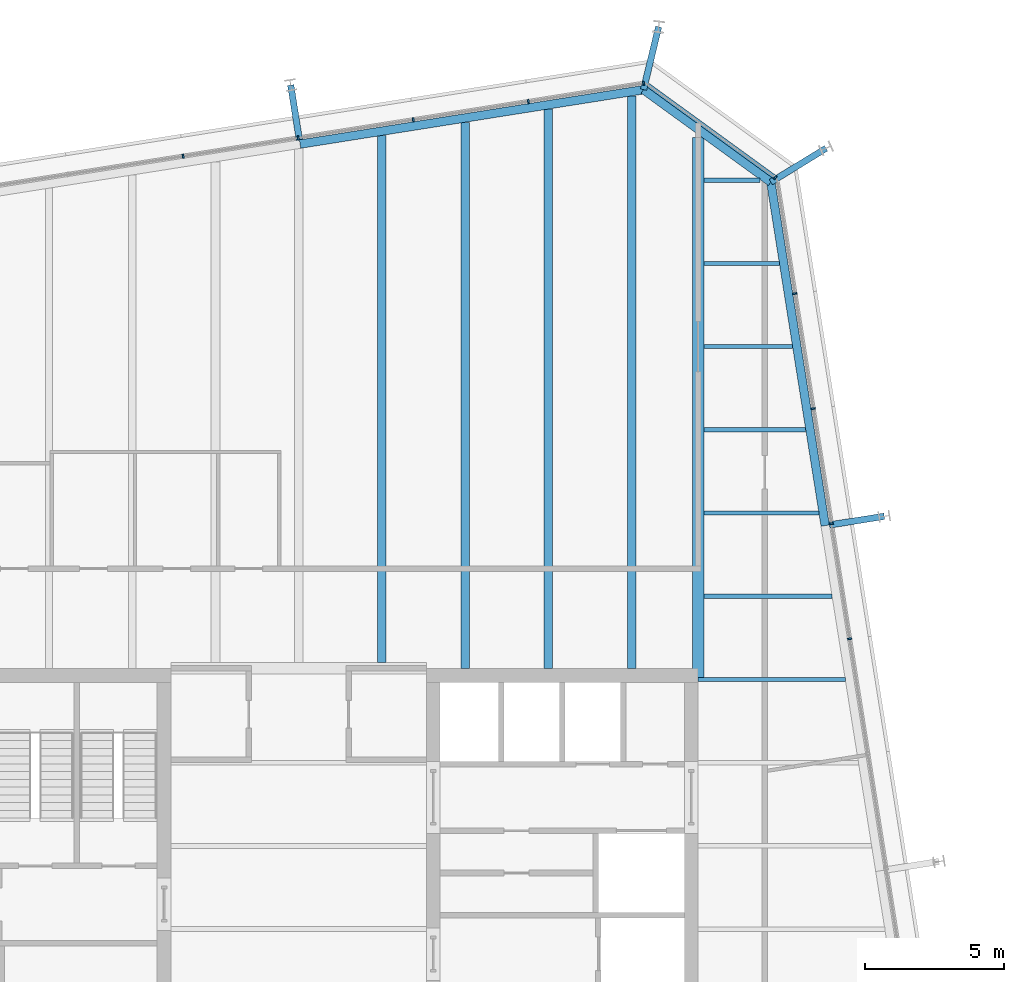
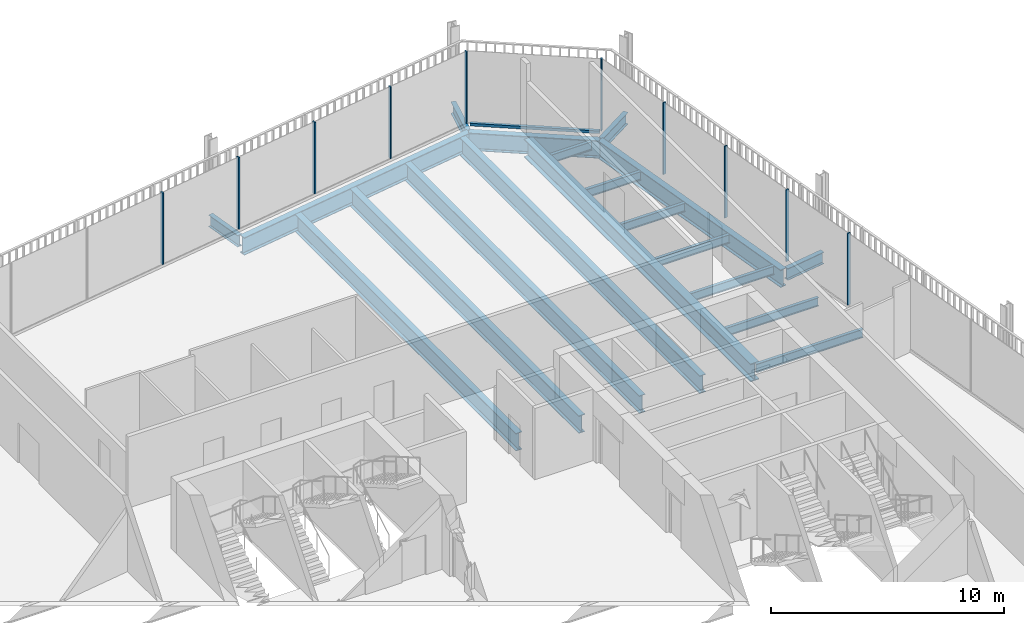
# One storey, part 14 of 20: 19 beams, 11 members, 3 elements without a shape of their own.
"""IFC4 building model written with IfcOpenShell, lengths in metres."""

from ifc_helpers import new_model, si_unit, direction, frame, origin, origin_2d, place, context, subcontext, project, spatial, rectangle, i_section, extrude, material, layer, layer_set, material_profile, profile_set, type_object, element, aggregate, save


model = new_model("IFC4")

# Units and contexts
model_context = context("Model", 3, precision=1e-05, world=origin(), true_north=direction((0.0, 1.0)))
body_context = subcontext(model_context, "Body", "Model", "MODEL_VIEW")
ifc_project = project(units=[si_unit("LENGTHUNIT", "METRE"), si_unit("AREAUNIT", "SQUARE_METRE"), si_unit("VOLUMEUNIT", "CUBIC_METRE"), si_unit("PLANEANGLEUNIT", "RADIAN"), si_unit("MASSUNIT", "GRAM", prefix="KILO")], contexts=[model_context])

# Site, building, storey
site_placement = place(None, origin())
site = spatial("IfcSite", under=ifc_project, at=site_placement, CompositionType="ELEMENT")
building_placement = place(site_placement, origin())
building = spatial("IfcBuilding", under=site, at=building_placement, Name="Millrace Tower", CompositionType="ELEMENT")
storey_placement = place(building_placement, frame((0.0, 0.0, 259.10009765625)))
storey = spatial("IfcBuildingStorey", under=building, at=storey_placement, Name="L59", CompositionType="ELEMENT", Elevation=259.10009765625)

# Curtain wall, members
ifc_material_1 = material(Name="Aluminium and glass", Category="aluminium")
ifc_layer = layer(ifc_material_1, 0.14990234375)
ifc_layer_set = layer_set([ifc_layer], Name="Aluminium and glass")
curtain_wall_type = type_object("IfcCurtainWallType", Name="CW-1 office vision curtain wall", PredefinedType="NOTDEFINED", material=ifc_layer_set)
placement = place(storey_placement, origin())
curtain_wall_1 = element("IfcCurtainWall", 1, at=placement, inside=storey, type_object=curtain_wall_type, Name="Curtain wall D-F04 L59", PredefinedType="NOTDEFINED")
ifc_material_2 = material(Name="Aluminium", Category="aluminium")
ifc_material_profile_1 = material_profile(ifc_material_2, rectangle(XDim=0.06494140625, YDim=0.14990234375, at=origin_2d()))
ifc_profile_set_1 = profile_set([ifc_material_profile_1], Name="Aluminium")
member_type_1 = type_object("IfcMemberType", Name="CW-1 office vision curtain wall mullion", PredefinedType="MULLION", material=ifc_profile_set_1)
member_1_placement = place(storey_placement, frame((19.857421875, 10.466064453125, 0.139892578125), z_axis=(0.0, 0.0, 1.0), x_axis=(-0.156434471884, 0.987688339511, 0.0)))
member_1 = element("IfcMember", 2, at=member_1_placement, type_object=member_type_1, Name="CW1 mullion D-F04.6", PredefinedType="MULLION", context=body_context, shape_type="SweptSolid", body=[
    extrude(rectangle(XDim=0.06494140625, YDim=0.14990234375, at=origin_2d()), origin(), (0.0, 0.0, 1.0), 3.760009765625),
])
member_2_placement = place(storey_placement, frame((19.2001953125, 14.6142578125, 0.139892578125), z_axis=(0.0, 0.0, 1.0), x_axis=(-0.156434471884, 0.987688339511, 0.0)))
member_2 = element("IfcMember", 3, at=member_2_placement, type_object=member_type_1, Name="CW1 mullion D-F04.7", PredefinedType="MULLION", context=body_context, shape_type="SweptSolid", body=[
    extrude(rectangle(XDim=0.06494140625, YDim=0.14990234375, at=origin_2d()), origin(), (0.0, 0.0, 1.0), 3.760009765625),
])
member_3_placement = place(storey_placement, frame((18.543212890625, 18.762451171875, 0.139892578125), z_axis=(0.0, 0.0, 1.0), x_axis=(-0.156434471884, 0.987688339511, 0.0)))
member_3 = element("IfcMember", 4, at=member_3_placement, type_object=member_type_1, Name="CW1 mullion D-F04.8", PredefinedType="MULLION", context=body_context, shape_type="SweptSolid", body=[
    extrude(rectangle(XDim=0.06494140625, YDim=0.14990234375, at=origin_2d()), origin(), (0.0, 0.0, 1.0), 3.760009765625),
])
member_4_placement = place(storey_placement, frame((17.88623046875, 22.910888671875, 0.139892578125), z_axis=(0.0, 0.0, 1.0), x_axis=(-0.156434471884, 0.987688339511, 0.0)))
member_4 = element("IfcMember", 5, at=member_4_placement, type_object=member_type_1, Name="CW1 mullion D-F04.9", PredefinedType="MULLION", context=body_context, shape_type="SweptSolid", body=[
    extrude(rectangle(XDim=0.06494140625, YDim=0.14990234375, at=origin_2d()), origin(), (0.0, 0.0, 1.0), 3.760009765625),
])
aggregate(curtain_wall_1, [member_1, member_2, member_3, member_4])

# Curtain wall, member
curtain_wall_2 = element("IfcCurtainWall", 6, at=placement, inside=storey, type_object=curtain_wall_type, Name="Curtain wall D-F05 L59", PredefinedType="NOTDEFINED")
member_5_placement = place(storey_placement, frame((17.177978515625, 27.094970703125, 0.139892578125), z_axis=(0.0, 0.0, 1.0), x_axis=(-0.809016955361, 0.587785305991, 0.0)))
member_5 = element("IfcMember", 7, at=member_5_placement, type_object=member_type_1, Name="CW1 mullion D-F05.1", PredefinedType="MULLION", context=body_context, shape_type="SweptSolid", body=[
    extrude(rectangle(XDim=0.06494140625, YDim=0.14990234375, at=origin_2d()), origin(), (0.0, 0.0, 1.0), 3.760009765625),
])

# Curtain wall, members
curtain_wall_3 = element("IfcCurtainWall", 8, at=placement, inside=storey, type_object=curtain_wall_type, Name="Curtain wall D-F06 L59", PredefinedType="NOTDEFINED")
member_6_placement = place(storey_placement, frame((12.425537109375, 30.492431640625, 0.139892578125), z_axis=(0.0, 0.0, 1.0), x_axis=(-0.987688339511, -0.156434471884, 0.0)))
member_6 = element("IfcMember", 9, at=member_6_placement, type_object=member_type_1, Name="CW1 mullion D-F06.1", PredefinedType="MULLION", context=body_context, shape_type="SweptSolid", body=[
    extrude(rectangle(XDim=0.06494140625, YDim=0.14990234375, at=origin_2d()), origin(), (0.0, 0.0, 1.0), 3.760009765625),
])
member_7_placement = place(storey_placement, frame((8.277099609375, 29.83544921875, 0.139892578125), z_axis=(0.0, 0.0, 1.0), x_axis=(-0.987688339511, -0.156434471884, 0.0)))
member_7 = element("IfcMember", 10, at=member_7_placement, type_object=member_type_1, Name="CW1 mullion D-F06.2", PredefinedType="MULLION", context=body_context, shape_type="SweptSolid", body=[
    extrude(rectangle(XDim=0.06494140625, YDim=0.14990234375, at=origin_2d()), origin(), (0.0, 0.0, 1.0), 3.760009765625),
])
member_8_placement = place(storey_placement, frame((4.12890625, 29.178466796875, 0.139892578125), z_axis=(0.0, 0.0, 1.0), x_axis=(-0.987688339511, -0.156434471884, 0.0)))
member_8 = element("IfcMember", 11, at=member_8_placement, type_object=member_type_1, Name="CW1 mullion D-F06.3", PredefinedType="MULLION", context=body_context, shape_type="SweptSolid", body=[
    extrude(rectangle(XDim=0.06494140625, YDim=0.14990234375, at=origin_2d()), origin(), (0.0, 0.0, 1.0), 3.760009765625),
])
member_9_placement = place(storey_placement, frame((-0.019287109375, 28.521240234375, 0.139892578125), z_axis=(0.0, 0.0, 1.0), x_axis=(-0.987688339511, -0.156434471884, 0.0)))
member_9 = element("IfcMember", 12, at=member_9_placement, type_object=member_type_1, Name="CW1 mullion D-F06.4", PredefinedType="MULLION", context=body_context, shape_type="SweptSolid", body=[
    extrude(rectangle(XDim=0.06494140625, YDim=0.14990234375, at=origin_2d()), origin(), (0.0, 0.0, 1.0), 3.760009765625),
])
member_10_placement = place(storey_placement, frame((-4.167724609375, 27.8642578125, 0.139892578125), z_axis=(0.0, 0.0, 1.0), x_axis=(-0.987688339511, -0.156434471884, 0.0)))
member_10 = element("IfcMember", 13, at=member_10_placement, type_object=member_type_1, Name="CW1 mullion D-F06.5", PredefinedType="MULLION", context=body_context, shape_type="SweptSolid", body=[
    extrude(rectangle(XDim=0.06494140625, YDim=0.14990234375, at=origin_2d()), origin(), (0.0, 0.0, 1.0), 3.760009765625),
])
aggregate(curtain_wall_3, [member_6, member_7, member_8, member_9, member_10])

# Member
ifc_material_3 = material(Name="Aluminium", Category="aluminium")
ifc_material_profile_2 = material_profile(ifc_material_3, rectangle(XDim=0.14990234375, YDim=0.139892578125, at=origin_2d()))
ifc_profile_set_2 = profile_set([ifc_material_profile_2], Name="Aluminium")
member_type_2 = type_object("IfcMemberType", Name="CW-1 office vision curtain wall transom", PredefinedType="USERDEFINED", material=ifc_profile_set_2)
member_11_placement = place(storey_placement, frame((17.123291015625, 27.134765625, 0.06982421875), z_axis=(-0.809018869857, 0.587782670904, 0.0), x_axis=(-0.587782670904, -0.809018869857, 0.0)))
member_11 = element("IfcMember", 14, at=member_11_placement, type_object=member_type_2, Name="CW1 transom D-F05.1", ObjectType="TRANSOM", PredefinedType="USERDEFINED", context=body_context, shape_type="SweptSolid", body=[
    extrude(rectangle(XDim=0.14990234375, YDim=0.139892578125, at=origin_2d()), origin(), (0.0, 0.0, 1.0), 5.59814453125),
])

aggregate(curtain_wall_2, [member_5, member_11])

# Beams
ifc_material_4 = material(Name="Steel ASTM A992 Grade 50", Category="steel")
ifc_material_profile_3 = material_profile(ifc_material_4, i_section(OverallWidth=0.15234375, OverallDepth=0.449462890625, WebThickness=0.007568359375, FlangeThickness=0.0107421875, FilletRadius=0.01025390625, at=origin_2d()))
ifc_profile_set_3 = profile_set([ifc_material_profile_3], Name="Steel ASTM A992 Grade 50")
beam_type_1 = type_object("IfcBeamType", Name="Floor beam W18x35", PredefinedType="JOIST", material=ifc_profile_set_3)
beam_1_placement = place(storey_placement, frame((14.39990234375, 9.0, -0.384765625), z_axis=(1.0, 0.0, 0.0), x_axis=(0.0, 1.0, 0.0)))
element("IfcBeam", 15, at=beam_1_placement, inside=storey, type_object=beam_type_1, Name="BM-D-L59-S1-S024", PredefinedType="JOIST", context=body_context, shape_type="SweptSolid", body=[
    extrude(i_section(OverallWidth=0.15234375, OverallDepth=0.449462890625, WebThickness=0.007568359375, FlangeThickness=0.0107421875, FilletRadius=0.01025390625, at=origin_2d()), origin(), (0.0, 0.0, 1.0), 5.302490234375),
])
beam_2_placement = place(storey_placement, frame((14.609619140625, 12.0, -0.384765625), z_axis=(1.0, 0.0, 0.0), x_axis=(0.0, 1.0, 0.0)))
element("IfcBeam", 16, at=beam_2_placement, inside=storey, type_object=beam_type_1, Name="BM-D-L59-S1-S026", PredefinedType="JOIST", context=body_context, shape_type="SweptSolid", body=[
    extrude(i_section(OverallWidth=0.15234375, OverallDepth=0.449462890625, WebThickness=0.007568359375, FlangeThickness=0.0107421875, FilletRadius=0.01025390625, at=origin_2d()), origin(), (0.0, 0.0, 1.0), 4.61767578125),
])
beam_3_placement = place(storey_placement, frame((14.609619140625, 15.0, -0.384765625), z_axis=(1.0, 0.0, 0.0), x_axis=(0.0, 1.0, 0.0)))
element("IfcBeam", 17, at=beam_3_placement, inside=storey, type_object=beam_type_1, Name="BM-D-L59-S1-S028", PredefinedType="JOIST", context=body_context, shape_type="SweptSolid", body=[
    extrude(i_section(OverallWidth=0.15234375, OverallDepth=0.449462890625, WebThickness=0.007568359375, FlangeThickness=0.0107421875, FilletRadius=0.01025390625, at=origin_2d()), origin(), (0.0, 0.0, 1.0), 4.142578125),
])
beam_4_placement = place(storey_placement, frame((14.609619140625, 18.0, -0.384765625), z_axis=(1.0, 0.0, 0.0), x_axis=(0.0, 1.0, 0.0)))
element("IfcBeam", 18, at=beam_4_placement, inside=storey, type_object=beam_type_1, Name="BM-D-L59-S1-S030", PredefinedType="JOIST", context=body_context, shape_type="SweptSolid", body=[
    extrude(i_section(OverallWidth=0.15234375, OverallDepth=0.449462890625, WebThickness=0.007568359375, FlangeThickness=0.0107421875, FilletRadius=0.01025390625, at=origin_2d()), origin(), (0.0, 0.0, 1.0), 3.667236328125),
])
beam_5_placement = place(storey_placement, frame((14.609619140625, 21.0, -0.384765625), z_axis=(1.0, 0.0, 0.0), x_axis=(0.0, 1.0, 0.0)))
element("IfcBeam", 19, at=beam_5_placement, inside=storey, type_object=beam_type_1, Name="BM-D-L59-S1-S032", PredefinedType="JOIST", context=body_context, shape_type="SweptSolid", body=[
    extrude(i_section(OverallWidth=0.15234375, OverallDepth=0.449462890625, WebThickness=0.007568359375, FlangeThickness=0.0107421875, FilletRadius=0.01025390625, at=origin_2d()), origin(), (0.0, 0.0, 1.0), 3.192138671875),
])
beam_6_placement = place(storey_placement, frame((14.609619140625, 24.0, -0.384765625), z_axis=(1.0, 0.0, 0.0), x_axis=(0.0, 1.0, 0.0)))
element("IfcBeam", 20, at=beam_6_placement, inside=storey, type_object=beam_type_1, Name="BM-D-L59-S1-S034", PredefinedType="JOIST", context=body_context, shape_type="SweptSolid", body=[
    extrude(i_section(OverallWidth=0.15234375, OverallDepth=0.449462890625, WebThickness=0.007568359375, FlangeThickness=0.0107421875, FilletRadius=0.01025390625, at=origin_2d()), origin(), (0.0, 0.0, 1.0), 2.717041015625),
])
beam_7_placement = place(storey_placement, frame((14.609619140625, 27.0, -0.384765625), z_axis=(1.0, 0.0, 0.0), x_axis=(0.0, 1.0, 0.0)))
element("IfcBeam", 21, at=beam_7_placement, inside=storey, type_object=beam_type_1, Name="BM-D-L59-S1-S035", PredefinedType="JOIST", context=body_context, shape_type="SweptSolid", body=[
    extrude(i_section(OverallWidth=0.15234375, OverallDepth=0.449462890625, WebThickness=0.007568359375, FlangeThickness=0.0107421875, FilletRadius=0.01025390625, at=origin_2d()), origin(), (0.0, 0.0, 1.0), 2.020751953125),
])
ifc_material_5 = material(Name="Steel ASTM A992 Grade 50", Category="steel")
ifc_material_profile_4 = material_profile(ifc_material_5, i_section(OverallWidth=0.307373046875, OverallDepth=0.927001953125, WebThickness=0.01953125, FlangeThickness=0.031982421875, FilletRadius=0.01904296875, at=origin_2d()))
ifc_profile_set_4 = profile_set([ifc_material_profile_4], Name="Steel ASTM A992 Grade 50")
beam_type_2 = type_object("IfcBeamType", Name="Floor beam W36x194", PredefinedType="JOIST", material=ifc_profile_set_4)
beam_8_placement = place(storey_placement, frame((3.0, 9.609619140625, -0.62353515625), z_axis=(0.0, 1.0, 0.0), x_axis=(-1.0, 0.0, 0.0)))
element("IfcBeam", 22, at=beam_8_placement, inside=storey, type_object=beam_type_2, Name="BM-D-L59-S1-S046", PredefinedType="JOIST", context=body_context, shape_type="SweptSolid", body=[
    extrude(i_section(OverallWidth=0.307373046875, OverallDepth=0.927001953125, WebThickness=0.01953125, FlangeThickness=0.031982421875, FilletRadius=0.01904296875, at=origin_2d()), origin(), (0.0, 0.0, 1.0), 19.0029296875),
])
beam_9_placement = place(storey_placement, frame((6.0, 9.39990234375, -0.62353515625), z_axis=(0.0, 1.0, 0.0), x_axis=(-1.0, 0.0, 0.0)))
element("IfcBeam", 23, at=beam_9_placement, inside=storey, type_object=beam_type_2, Name="BM-D-L59-S1-S048", PredefinedType="JOIST", context=body_context, shape_type="SweptSolid", body=[
    extrude(i_section(OverallWidth=0.307373046875, OverallDepth=0.927001953125, WebThickness=0.01953125, FlangeThickness=0.031982421875, FilletRadius=0.01904296875, at=origin_2d()), origin(), (0.0, 0.0, 1.0), 19.687744140625),
])
beam_10_placement = place(storey_placement, frame((9.0, 9.39990234375, -0.62353515625), z_axis=(0.0, 1.0, 0.0), x_axis=(-1.0, 0.0, 0.0)))
element("IfcBeam", 24, at=beam_10_placement, inside=storey, type_object=beam_type_2, Name="BM-D-L59-S1-S050", PredefinedType="JOIST", context=body_context, shape_type="SweptSolid", body=[
    extrude(i_section(OverallWidth=0.307373046875, OverallDepth=0.927001953125, WebThickness=0.01953125, FlangeThickness=0.031982421875, FilletRadius=0.01904296875, at=origin_2d()), origin(), (0.0, 0.0, 1.0), 20.162841796875),
])
beam_11_placement = place(storey_placement, frame((12.0, 9.39990234375, -0.62353515625), z_axis=(0.0, 1.0, 0.0), x_axis=(-1.0, 0.0, 0.0)))
element("IfcBeam", 25, at=beam_11_placement, inside=storey, type_object=beam_type_2, Name="BM-D-L59-S1-S052", PredefinedType="JOIST", context=body_context, shape_type="SweptSolid", body=[
    extrude(i_section(OverallWidth=0.307373046875, OverallDepth=0.927001953125, WebThickness=0.01953125, FlangeThickness=0.031982421875, FilletRadius=0.01904296875, at=origin_2d()), origin(), (0.0, 0.0, 1.0), 20.637939453125),
])
ifc_material_6 = material(Name="Steel ASTM A992 Grade 50", Category="steel")
ifc_material_profile_5 = material_profile(ifc_material_6, i_section(OverallWidth=0.424072265625, OverallDepth=0.947509765625, WebThickness=0.02392578125, FlangeThickness=0.042724609375, FilletRadius=0.024169921875, at=origin_2d()))
ifc_profile_set_5 = profile_set([ifc_material_profile_5], Name="Steel ASTM A992 Grade 50")
beam_type_3 = type_object("IfcBeamType", Name="Girder medium span W36x302", PredefinedType="BEAM", material=ifc_profile_set_5)
beam_12_placement = place(storey_placement, frame((14.39990234375, 9.080078125, -0.6337890625), z_axis=(0.0, 1.0, 0.0), x_axis=(-1.0, 0.0, 0.0)))
element("IfcBeam", 26, at=beam_12_placement, inside=storey, type_object=beam_type_3, Name="BM-D-L59-S1-G056", PredefinedType="BEAM", context=body_context, shape_type="SweptSolid", body=[
    extrude(i_section(OverallWidth=0.424072265625, OverallDepth=0.947509765625, WebThickness=0.02392578125, FlangeThickness=0.042724609375, FilletRadius=0.024169921875, at=origin_2d()), origin(), (0.0, 0.0, 1.0), 19.460693359375),
])
ifc_material_7 = material(Name="Steel ASTM A992 Grade 50", Category="steel")
ifc_material_profile_6 = material_profile(ifc_material_7, i_section(OverallWidth=0.23046875, OverallDepth=0.6171875, WebThickness=0.01318359375, FlangeThickness=0.022216796875, FilletRadius=0.012939453125, at=origin_2d()))
ifc_profile_set_6 = profile_set([ifc_material_profile_6], Name="Steel ASTM A992 Grade 50")
beam_type_4 = type_object("IfcBeamType", Name="Link beam W24x94", PredefinedType="BEAM", material=ifc_profile_set_6)
beam_13_placement = place(storey_placement, frame((0.0244140625, 28.452392578125, -0.46875), z_axis=(-0.15637629034, 0.987697552806, 0.0), x_axis=(-0.987697552806, -0.15637629034, 0.0)))
element("IfcBeam", 27, at=beam_13_placement, inside=storey, type_object=beam_type_4, Name="LNK-D-L59-S1-07", PredefinedType="BEAM", context=body_context, shape_type="SweptSolid", body=[
    extrude(i_section(OverallWidth=0.23046875, OverallDepth=0.6171875, WebThickness=0.01318359375, FlangeThickness=0.022216796875, FilletRadius=0.012939453125, at=origin_2d()), origin(), (0.0, 0.0, 1.0), 2.0),
])
beam_14_placement = place(storey_placement, frame((12.430419921875, 30.26171875, -0.46875), z_axis=(0.233456138164, 0.972367333652, 0.0), x_axis=(-0.972367333652, 0.233456138164, 0.0)))
element("IfcBeam", 28, at=beam_14_placement, inside=storey, type_object=beam_type_4, Name="LNK-D-L59-S1-08", PredefinedType="BEAM", context=body_context, shape_type="SweptSolid", body=[
    extrude(i_section(OverallWidth=0.23046875, OverallDepth=0.6171875, WebThickness=0.01318359375, FlangeThickness=0.022216796875, FilletRadius=0.012939453125, at=origin_2d()), origin(), (0.0, 0.0, 1.0), 2.3310546875),
])
beam_15_placement = place(storey_placement, frame((17.018310546875, 26.928466796875, -0.46875), z_axis=(0.852659946142, 0.5224662824, 0.0), x_axis=(-0.5224662824, 0.852659946142, 0.0)))
element("IfcBeam", 29, at=beam_15_placement, inside=storey, type_object=beam_type_4, Name="LNK-D-L59-S1-09", PredefinedType="BEAM", context=body_context, shape_type="SweptSolid", body=[
    extrude(i_section(OverallWidth=0.23046875, OverallDepth=0.6171875, WebThickness=0.01318359375, FlangeThickness=0.022216796875, FilletRadius=0.012939453125, at=origin_2d()), origin(), (0.0, 0.0, 1.0), 2.331298828125),
])
beam_16_placement = place(storey_placement, frame((19.13134765625, 14.5703125, -0.46875), z_axis=(0.987678691416, 0.156495375404, 0.0), x_axis=(-0.156495375404, 0.987678691416, 0.0)))
element("IfcBeam", 30, at=beam_16_placement, inside=storey, type_object=beam_type_4, Name="LNK-D-L59-S1-10", PredefinedType="BEAM", context=body_context, shape_type="SweptSolid", body=[
    extrude(i_section(OverallWidth=0.23046875, OverallDepth=0.6171875, WebThickness=0.01318359375, FlangeThickness=0.022216796875, FilletRadius=0.012939453125, at=origin_2d()), origin(), (0.0, 0.0, 1.0), 2.0),
])
ifc_material_8 = material(Name="Steel ASTM A992 Grade 50", Category="steel")
ifc_material_profile_7 = material_profile(ifc_material_8, i_section(OverallWidth=0.307373046875, OverallDepth=0.927001953125, WebThickness=0.01953125, FlangeThickness=0.031982421875, FilletRadius=0.01904296875, at=origin_2d()))
ifc_profile_set_7 = profile_set([ifc_material_profile_7], Name="Steel ASTM A992 Grade 50")
beam_type_5 = type_object("IfcBeamType", Name="Ring beam medium span W36x194", PredefinedType="SPANDREL", material=ifc_profile_set_7)
beam_17_placement = place(storey_placement, frame((0.048583984375, 28.300537109375, -0.62353515625), z_axis=(0.987687213011, 0.156441584157, 0.0), x_axis=(-0.156441584157, 0.987687213011, 0.0)))
element("IfcBeam", 31, at=beam_17_placement, inside=storey, type_object=beam_type_5, Name="RNG-D-L59-S1-07", PredefinedType="SPANDREL", context=body_context, shape_type="SweptSolid", body=[
    extrude(i_section(OverallWidth=0.307373046875, OverallDepth=0.927001953125, WebThickness=0.01953125, FlangeThickness=0.031982421875, FilletRadius=0.01904296875, at=origin_2d()), origin(), (0.0, 0.0, 1.0), 12.5361328125),
])
beam_18_placement = place(storey_placement, frame((17.018310546875, 26.928466796875, -0.62353515625), z_axis=(0.156438575049, -0.987687689625, 0.0), x_axis=(0.987687689625, 0.156438575049, 0.0)))
element("IfcBeam", 32, at=beam_18_placement, inside=storey, type_object=beam_type_5, Name="RNG-D-L59-S1-09", PredefinedType="SPANDREL", context=body_context, shape_type="SweptSolid", body=[
    extrude(i_section(OverallWidth=0.307373046875, OverallDepth=0.927001953125, WebThickness=0.01953125, FlangeThickness=0.031982421875, FilletRadius=0.01904296875, at=origin_2d()), origin(), (0.0, 0.0, 1.0), 12.536376953125),
])
ifc_material_9 = material(Name="Steel ASTM A992 Grade 50", Category="steel")
ifc_material_profile_8 = material_profile(ifc_material_9, i_section(OverallWidth=0.307373046875, OverallDepth=0.927001953125, WebThickness=0.01953125, FlangeThickness=0.031982421875, FilletRadius=0.01904296875, at=origin_2d()))
ifc_profile_set_8 = profile_set([ifc_material_profile_8], Name="Steel ASTM A992 Grade 50")
beam_type_6 = type_object("IfcBeamType", Name="Ring beam short span W36x194", PredefinedType="SPANDREL", material=ifc_profile_set_8)
beam_19_placement = place(storey_placement, frame((12.430419921875, 30.26171875, -0.62353515625), z_axis=(0.80902082646, -0.587779977844, 0.0), x_axis=(0.587779977844, 0.80902082646, 0.0)))
element("IfcBeam", 33, at=beam_19_placement, inside=storey, type_object=beam_type_6, Name="RNG-D-L59-S1-08", PredefinedType="SPANDREL", context=body_context, shape_type="SweptSolid", body=[
    extrude(i_section(OverallWidth=0.307373046875, OverallDepth=0.927001953125, WebThickness=0.01953125, FlangeThickness=0.031982421875, FilletRadius=0.01904296875, at=origin_2d()), origin(), (0.0, 0.0, 1.0), 5.6708984375),
])

save(model, "model.ifc")
